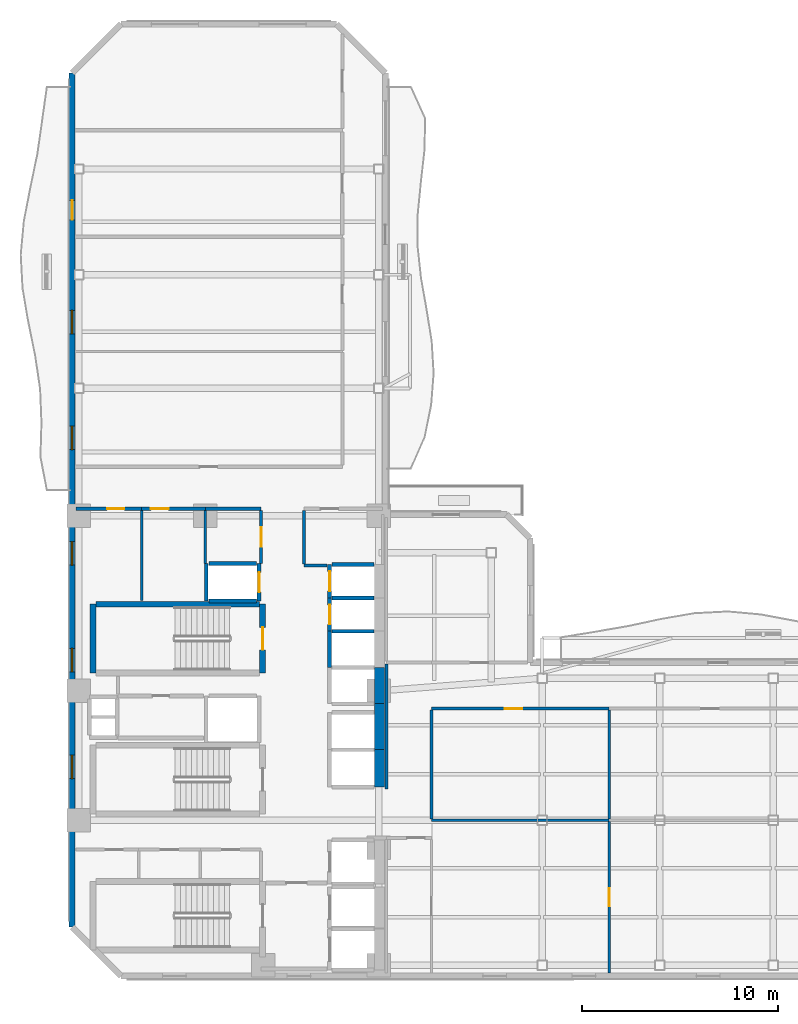
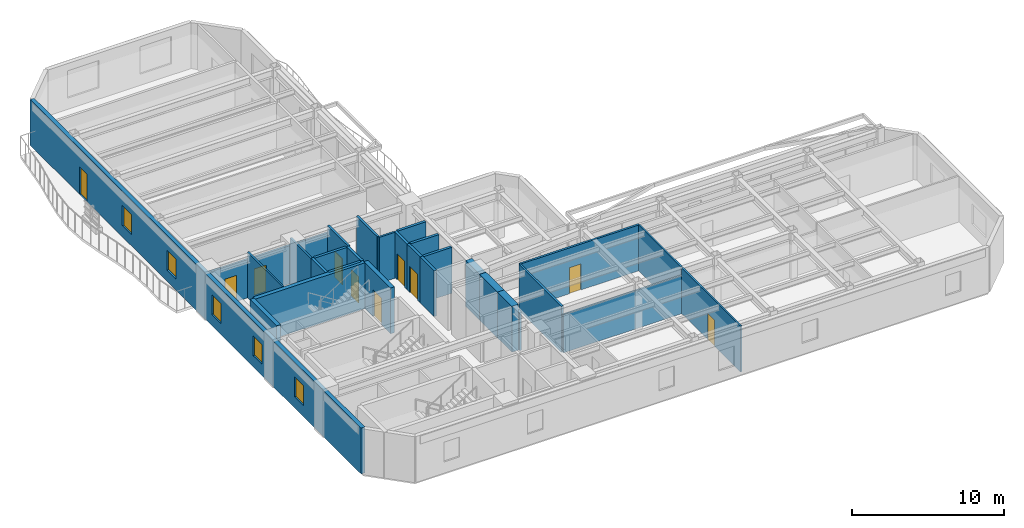
# One storey, part 4 of 12: 31 walls, 10 doors, 5 windows, 15 openings.
"""IFC4 building model written with IfcOpenShell, lengths in metres."""

from ifc_helpers import new_model, si_unit, direction, frame, frame_2d, origin, place, context, subcontext, project, spatial, rectangle, extrude, material, layer, layer_set, type_object, element, fill, save


model = new_model("IFC4")

# Units and contexts
model_context = context("Model", 3, precision=1e-05, world=origin(), true_north=direction((0.0, 1.0)))
body_context = subcontext(model_context, "Body", "Model", "MODEL_VIEW")
ifc_project = project(units=[si_unit("LENGTHUNIT", "METRE"), si_unit("AREAUNIT", "SQUARE_METRE"), si_unit("VOLUMEUNIT", "CUBIC_METRE"), si_unit("PLANEANGLEUNIT", "RADIAN"), si_unit("MASSUNIT", "GRAM", prefix="KILO")], contexts=[model_context])

# Site, building, storey
site_placement = place(None, origin())
site = spatial("IfcSite", under=ifc_project, at=site_placement, CompositionType="ELEMENT")
building_placement = place(site_placement, origin())
building = spatial("IfcBuilding", under=site, at=building_placement, Name="Mawjaban Terraces University", CompositionType="ELEMENT")
storey_placement = place(building_placement, frame((0.0, 0.0, 150.199951171875)))
storey = spatial("IfcBuildingStorey", under=building, at=storey_placement, Name="L36", CompositionType="ELEMENT", Elevation=150.199951171875)

# Walls
ifc_material_1 = material(Name="Concrete C60/75", Category="concrete")
ifc_layer_1 = layer(ifc_material_1, 0.5)
ifc_layer_set_1 = layer_set([ifc_layer_1], Name="Concrete C60/75")
wall_type_1 = type_object("IfcWallType", Name="CoreShearWall_500", PredefinedType="SHEAR", material=ifc_layer_set_1)
wall_1_placement = place(storey_placement, frame((37.699951171875, 9.64990234375, 0.0), z_axis=(0.0, 0.0, 1.0), x_axis=(0.0, 1.0, 0.0)))
element("IfcWall", 1, at=wall_1_placement, inside=storey, type_object=wall_type_1, Name="L36 Lift PL-H1 Hoistway Wall East", PredefinedType="SHEAR", context=body_context, shape_type="SweptSolid", body=[
    extrude(rectangle(XDim=1.900146484375, YDim=0.5, at=frame_2d((0.9501953125, 0.0))), origin(), (0.0, 0.0, 1.0), 3.68994140625),
])
wall_2_placement = place(storey_placement, frame((37.699951171875, 11.550048828125, 0.0), z_axis=(0.0, 0.0, 1.0), x_axis=(0.0, 1.0, 0.0)))
element("IfcWall", 2, at=wall_2_placement, inside=storey, type_object=wall_type_1, Name="L36 Lift PL-H2 Hoistway Wall East", PredefinedType="SHEAR", context=body_context, shape_type="SweptSolid", body=[
    extrude(rectangle(XDim=2.349853515625, YDim=0.5, at=frame_2d((1.1748046875, 0.0))), origin(), (0.0, 0.0, 1.0), 3.68994140625),
])
wall_3_placement = place(storey_placement, frame((37.699951171875, 13.89990234375, 0.0), z_axis=(0.0, 0.0, 1.0), x_axis=(0.0, 1.0, 0.0)))
element("IfcWall", 3, at=wall_3_placement, inside=storey, type_object=wall_type_1, Name="L36 Lift OL-1 Hoistway Wall East", PredefinedType="SHEAR", context=body_context, shape_type="SweptSolid", body=[
    extrude(rectangle(XDim=1.85009765625, YDim=0.5, at=frame_2d((0.925048828125, 0.0))), origin(), (0.0, 0.0, 1.0), 3.68994140625),
])

# Wall, opening, door
ifc_material_2 = material(Name="Fire-rated gypsum board on steel stud", Category="steel")
ifc_layer_2 = layer(ifc_material_2, 0.159912109375)
ifc_layer_set_2 = layer_set([ifc_layer_2], Name="Fire-rated gypsum board on steel stud")
wall_type_2 = type_object("IfcWallType", Name="CorridorPartition_160", PredefinedType="PARTITIONING", material=ifc_layer_set_2)
wall_4_placement = place(storey_placement, frame((25.550048828125, 23.85009765625, 0.0), z_axis=(0.0, 0.0, 1.0), x_axis=(-1.0, 0.0, 0.0)))
wall_4 = element("IfcWall", 4, at=wall_4_placement, inside=storey, type_object=wall_type_2, Name="L36 Ablution Room Partition 5", PredefinedType="PARTITIONING", context=body_context, shape_type="SweptSolid", body=[
    extrude(rectangle(XDim=3.35009765625, YDim=0.159912109375, at=frame_2d((1.675048828125, 0.0))), origin(), (0.0, 0.0, 1.0), 3.073974609375),
])
opening_1_placement = place(wall_4_placement, frame((0.885009765625, 0.0, 0.0)))
opening_1 = element("IfcOpeningElement", 5, at=opening_1_placement, cuts=wall_4, Name="Opening ID-088", PredefinedType="OPENING", context=body_context, shape_type="SweptSolid", body=[
    extrude(rectangle(XDim=0.8798828125, YDim=2.10009765625, at=frame_2d((0.43994140625, 1.050048828125))), frame((0.0, 0.08984375, 0.0), z_axis=(0.0, -1.0, 0.0), x_axis=(1.0, 0.0, 0.0)), (0.0, 0.0, 1.0), 0.179931640625),
])
ifc_material_3 = material(Name="Powder-coated steel frame and solid acoustic timber leaf", Category="steel")
door_type_1 = type_object("IfcDoorType", Name="ToiletDoor_880x2100", OperationType="NOTDEFINED", PredefinedType="DOOR", material=ifc_material_3)
door_1_placement = place(opening_1_placement, origin())
door_1 = element("IfcDoor", 6, at=door_1_placement, inside=storey, type_object=door_type_1, Name="L36 Ablution Room Door", OperationType="SINGLE_SWING_LEFT", OverallHeight=2.10009765625, OverallWidth=0.8798828125, PredefinedType="DOOR", context=body_context, shape_type="SweptSolid", body=[
    extrude(rectangle(XDim=0.8798828125, YDim=2.10009765625, at=frame_2d((0.43994140625, 1.050048828125))), frame((0.0, 0.02490234375, 0.0), z_axis=(0.0, -1.0, 0.0), x_axis=(1.0, 0.0, 0.0)), (0.0, 0.0, 1.0), 0.050048828125),
])
fill(opening_1, door_1)

wall_5_placement = place(storey_placement, frame((28.800048828125, 23.85009765625, 0.0), z_axis=(0.0, 0.0, 1.0), x_axis=(-1.0, 0.0, 0.0)))
wall_5 = element("IfcWall", 7, at=wall_5_placement, inside=storey, type_object=wall_type_2, Name="L36 Cleaner Store Partition 7", PredefinedType="PARTITIONING", context=body_context, shape_type="SweptSolid", body=[
    extrude(rectangle(XDim=3.25, YDim=0.159912109375, at=frame_2d((1.625, 0.0))), origin(), (0.0, 0.0, 1.0), 3.073974609375),
])
opening_2_placement = place(wall_5_placement, frame((1.875, 0.0, 0.0)))
opening_2 = element("IfcOpeningElement", 8, at=opening_2_placement, cuts=wall_5, Name="Opening ID-090", PredefinedType="OPENING", context=body_context, shape_type="SweptSolid", body=[
    extrude(rectangle(XDim=0.89990234375, YDim=2.10009765625, at=frame_2d((0.449951171875, 1.050048828125))), frame((0.0, 0.08984375, 0.0), z_axis=(0.0, -1.0, 0.0), x_axis=(1.0, 0.0, 0.0)), (0.0, 0.0, 1.0), 0.179931640625),
])
door_type_2 = type_object("IfcDoorType", Name="OfficeDoor_900x2100", OperationType="NOTDEFINED", PredefinedType="DOOR", material=ifc_material_3)
door_2_placement = place(opening_2_placement, origin())
door_2 = element("IfcDoor", 9, at=door_2_placement, inside=storey, type_object=door_type_2, Name="L36 Cleaner Store Door", OperationType="SINGLE_SWING_RIGHT", OverallHeight=2.10009765625, OverallWidth=0.89990234375, PredefinedType="DOOR", context=body_context, shape_type="SweptSolid", body=[
    extrude(rectangle(XDim=0.89990234375, YDim=2.10009765625, at=frame_2d((0.449951171875, 1.050048828125))), frame((0.0, 0.02490234375, 0.0), z_axis=(0.0, -1.0, 0.0), x_axis=(1.0, 0.0, 0.0)), (0.0, 0.0, 1.0), 0.050048828125),
])
fill(opening_2, door_2)

# Walls
wall_6_placement = place(storey_placement, frame((31.64990234375, 23.85009765625, 0.0), z_axis=(0.0, 0.0, 1.0), x_axis=(-1.0, 0.0, 0.0)))
element("IfcWall", 10, at=wall_6_placement, inside=storey, type_object=wall_type_2, Name="L36 Academic Tutorial Alcove Partition 9", PredefinedType="PARTITIONING", context=body_context, shape_type="SweptSolid", body=[
    extrude(rectangle(XDim=2.849853515625, YDim=0.159912109375, at=frame_2d((1.4248046875, 0.0))), origin(), (0.0, 0.0, 1.0), 3.073974609375),
])
wall_7_placement = place(storey_placement, frame((35.02001953125, 20.949951171875, 0.0), z_axis=(0.0, 0.0, 1.0), x_axis=(-1.0, 0.0, 0.0)))
element("IfcWall", 11, at=wall_7_placement, inside=storey, type_object=wall_type_2, Name="L36 Passenger Lift Lobby Partition 11", PredefinedType="PARTITIONING", context=body_context, shape_type="SweptSolid", body=[
    extrude(rectangle(XDim=1.169921875, YDim=0.159912109375, at=frame_2d((0.5849609375, 0.0))), origin(), (0.0, 0.0, 1.0), 3.68994140625),
])

# Wall, opening, door
wall_8_placement = place(storey_placement, frame((40.35009765625, 13.64990234375, 0.0), z_axis=(0.0, 0.0, 1.0), x_axis=(1.0, 0.0, 0.0)))
wall_8 = element("IfcWall", 12, at=wall_8_placement, inside=storey, type_object=wall_type_2, Name="L36 Inner Terrace Gallery Corridor East Partition 18", PredefinedType="PARTITIONING", context=body_context, shape_type="SweptSolid", body=[
    extrude(rectangle(XDim=9.06982421875, YDim=0.159912109375, at=frame_2d((4.534912109375, 0.0))), origin(), (0.0, 0.0, 1.0), 3.68994140625),
])
opening_3_placement = place(wall_8_placement, frame((3.735107421875, 0.0, 0.0)))
opening_3 = element("IfcOpeningElement", 13, at=opening_3_placement, cuts=wall_8, Name="Opening ID-090", PredefinedType="OPENING", context=body_context, shape_type="SweptSolid", body=[
    extrude(rectangle(XDim=0.89990234375, YDim=2.10009765625, at=frame_2d((0.449951171875, 1.050048828125))), frame((0.0, 0.08984375, 0.0), z_axis=(0.0, -1.0, 0.0), x_axis=(1.0, 0.0, 0.0)), (0.0, 0.0, 1.0), 0.179931640625),
])
door_3_placement = place(opening_3_placement, origin())
door_3 = element("IfcDoor", 14, at=door_3_placement, inside=storey, type_object=door_type_2, Name="L36 Academic Counseling Room 3 Door", OperationType="SINGLE_SWING_LEFT", OverallHeight=2.10009765625, OverallWidth=0.89990234375, PredefinedType="DOOR", context=body_context, shape_type="SweptSolid", body=[
    extrude(rectangle(XDim=0.89990234375, YDim=2.10009765625, at=frame_2d((0.449951171875, 1.050048828125))), frame((0.0, 0.02490234375, 0.0), z_axis=(0.0, -1.0, 0.0), x_axis=(1.0, 0.0, 0.0)), (0.0, 0.0, 1.0), 0.050048828125),
])
fill(opening_3, door_3)

wall_9_placement = place(storey_placement, frame((31.64990234375, 23.77490234375, 0.0), z_axis=(0.0, 0.0, 1.0), x_axis=(0.0, -1.0, 0.0)))
wall_9 = element("IfcWall", 15, at=wall_9_placement, inside=storey, type_object=wall_type_2, Name="L36 Core North Lift Lobby Partition 32", PredefinedType="PARTITIONING", context=body_context, shape_type="SweptSolid", body=[
    extrude(rectangle(XDim=2.724853515625, YDim=0.159912109375, at=frame_2d((1.3623046875, 0.0))), origin(), (0.0, 0.0, 1.0), 3.68994140625),
])
opening_4_placement = place(wall_9_placement, frame((0.862060546875, 0.0, 0.0)))
opening_4 = element("IfcOpeningElement", 16, at=opening_4_placement, cuts=wall_9, Name="Opening ID-100", PredefinedType="OPENING", context=body_context, shape_type="SweptSolid", body=[
    extrude(rectangle(XDim=1.0, YDim=2.10009765625, at=frame_2d((0.5, 1.050048828125))), frame((0.0, 0.08984375, 0.0), z_axis=(0.0, -1.0, 0.0), x_axis=(1.0, 0.0, 0.0)), (0.0, 0.0, 1.0), 0.179931640625),
])
door_type_3 = type_object("IfcDoorType", Name="ClassroomDoor_1000x2100", OperationType="NOTDEFINED", PredefinedType="DOOR", material=ifc_material_3)
door_4_placement = place(opening_4_placement, origin())
door_4 = element("IfcDoor", 17, at=door_4_placement, inside=storey, type_object=door_type_3, Name="L36 Academic Tutorial Alcove Door", OperationType="SINGLE_SWING_RIGHT", OverallHeight=2.10009765625, OverallWidth=1.0, PredefinedType="DOOR", context=body_context, shape_type="SweptSolid", body=[
    extrude(rectangle(XDim=1.0, YDim=2.10009765625, at=frame_2d((0.5, 1.050048828125))), frame((0.0, 0.02490234375, 0.0), z_axis=(0.0, -1.0, 0.0), x_axis=(1.0, 0.0, 0.0)), (0.0, 0.0, 1.0), 0.050048828125),
])
fill(opening_4, door_4)

# Walls
wall_10_placement = place(storey_placement, frame((33.85009765625, 21.02490234375, 0.0), z_axis=(0.0, 0.0, 1.0), x_axis=(0.0, 1.0, 0.0)))
element("IfcWall", 18, at=wall_10_placement, inside=storey, type_object=wall_type_2, Name="L36 Core North Lift Lobby Partition 33", PredefinedType="PARTITIONING", context=body_context, shape_type="SweptSolid", body=[
    extrude(rectangle(XDim=2.75, YDim=0.159912109375, at=frame_2d((1.375, 0.0))), origin(), (0.0, 0.0, 1.0), 3.68994140625),
])
wall_11_placement = place(storey_placement, frame((38.050048828125, 15.925048828125, 0.0), z_axis=(0.0, 0.0, 1.0), x_axis=(0.0, -1.0, 0.0)))
element("IfcWall", 19, at=wall_11_placement, inside=storey, type_object=wall_type_2, Name="L36 Inner Gallery Link Corridor Partition 40", PredefinedType="PARTITIONING", context=body_context, shape_type="SweptSolid", body=[
    extrude(rectangle(XDim=6.375, YDim=0.159912109375, at=frame_2d((3.1875, 0.0))), origin(), (0.0, 0.0, 1.0), 3.073974609375),
])
wall_12_placement = place(storey_placement, frame((40.35009765625, 8.008056640625, 0.0), z_axis=(0.0, 0.0, 1.0), x_axis=(0.0, 1.0, 0.0)))
element("IfcWall", 20, at=wall_12_placement, inside=storey, type_object=wall_type_2, Name="L36 Inner Gallery Link Corridor Partition 43", PredefinedType="PARTITIONING", context=body_context, shape_type="SweptSolid", body=[
    extrude(rectangle(XDim=5.56689453125, YDim=0.159912109375, at=frame_2d((2.783447265625, 0.0))), origin(), (0.0, 0.0, 1.0), 3.68994140625),
])

# Wall, openings, door, windows
ifc_material_4 = material(Name="Insulated terracotta rainscreen on concrete backup C40/50", Category="masonry")
ifc_layer_3 = layer(ifc_material_4, 0.300048828125)
ifc_layer_set_3 = layer_set([ifc_layer_3], Name="Insulated terracotta rainscreen on concrete backup C40/50")
wall_type_3 = type_object("IfcWallType", Name="ExtTerracottaWall_300", PredefinedType="SOLIDWALL", material=ifc_layer_set_3)
wall_13_placement = place(storey_placement, frame((22.0, 46.10009765625, 0.0), z_axis=(0.0, 0.0, 1.0), x_axis=(0.0, -1.0, 0.0)))
wall_13 = element("IfcWall", 21, at=wall_13_placement, inside=storey, type_object=wall_type_3, Name="L36 Exterior Terracotta Wall 13", PredefinedType="SOLIDWALL", context=body_context, shape_type="SweptSolid", body=[
    extrude(rectangle(XDim=43.60009765625, YDim=0.300048828125, at=frame_2d((21.800048828125, 0.0))), origin(), (0.0, 0.0, 1.0), 3.68994140625),
])
opening_5_placement = place(wall_13_placement, frame((6.5, 0.0, 0.0)))
opening_5 = element("IfcOpeningElement", 22, at=opening_5_placement, cuts=wall_13, Name="Opening BD-100", PredefinedType="OPENING", context=body_context, shape_type="SweptSolid", body=[
    extrude(rectangle(XDim=1.0, YDim=2.199951171875, at=frame_2d((0.5, 1.10009765625))), frame((0.0, 0.159912109375, 0.0), z_axis=(0.0, -1.0, 0.0), x_axis=(1.0, 0.0, 0.0)), (0.0, 0.0, 1.0), 0.320068359375),
])
opening_6_placement = place(wall_13_placement, frame((12.125, 0.0, 0.89990234375)))
opening_6 = element("IfcOpeningElement", 23, at=opening_6_placement, cuts=wall_13, Name="Opening W-01", PredefinedType="OPENING", context=body_context, shape_type="SweptSolid", body=[
    extrude(rectangle(XDim=1.199951171875, YDim=1.60009765625, at=frame_2d((0.60009765625, 0.800048828125))), frame((0.0, 0.159912109375, 0.0), z_axis=(0.0, -1.0, 0.0), x_axis=(1.0, 0.0, 0.0)), (0.0, 0.0, 1.0), 0.320068359375),
])
opening_7_placement = place(wall_13_placement, frame((18.02490234375, 0.0, 0.89990234375)))
opening_7 = element("IfcOpeningElement", 24, at=opening_7_placement, cuts=wall_13, Name="Opening W-01", PredefinedType="OPENING", context=body_context, shape_type="SweptSolid", body=[
    extrude(rectangle(XDim=1.199951171875, YDim=1.60009765625, at=frame_2d((0.60009765625, 0.800048828125))), frame((0.0, 0.159912109375, 0.0), z_axis=(0.0, -1.0, 0.0), x_axis=(1.0, 0.0, 0.0)), (0.0, 0.0, 1.0), 0.320068359375),
])
opening_8_placement = place(wall_13_placement, frame((23.925048828125, 0.0, 0.89990234375)))
opening_8 = element("IfcOpeningElement", 25, at=opening_8_placement, cuts=wall_13, Name="Opening W-01", PredefinedType="OPENING", context=body_context, shape_type="SweptSolid", body=[
    extrude(rectangle(XDim=1.199951171875, YDim=1.60009765625, at=frame_2d((0.60009765625, 0.800048828125))), frame((0.0, 0.159912109375, 0.0), z_axis=(0.0, -1.0, 0.0), x_axis=(1.0, 0.0, 0.0)), (0.0, 0.0, 1.0), 0.320068359375),
])
opening_9_placement = place(wall_13_placement, frame((29.375, 0.0, 0.89990234375)))
opening_9 = element("IfcOpeningElement", 26, at=opening_9_placement, cuts=wall_13, Name="Opening W-01", PredefinedType="OPENING", context=body_context, shape_type="SweptSolid", body=[
    extrude(rectangle(XDim=1.199951171875, YDim=1.60009765625, at=frame_2d((0.60009765625, 0.800048828125))), frame((0.0, 0.159912109375, 0.0), z_axis=(0.0, -1.0, 0.0), x_axis=(1.0, 0.0, 0.0)), (0.0, 0.0, 1.0), 0.320068359375),
])
opening_10_placement = place(wall_13_placement, frame((34.824951171875, 0.0, 0.89990234375)))
opening_10 = element("IfcOpeningElement", 27, at=opening_10_placement, cuts=wall_13, Name="Opening W-01", PredefinedType="OPENING", context=body_context, shape_type="SweptSolid", body=[
    extrude(rectangle(XDim=1.199951171875, YDim=1.60009765625, at=frame_2d((0.60009765625, 0.800048828125))), frame((0.0, 0.159912109375, 0.0), z_axis=(0.0, -1.0, 0.0), x_axis=(1.0, 0.0, 0.0)), (0.0, 0.0, 1.0), 0.320068359375),
])
ifc_material_5 = material(Name="Thermally broken anodised aluminium and laminated safety glass", Category="aluminium")
door_type_4 = type_object("IfcDoorType", Name="BalconyGlazedDoor_1000x2200", OperationType="NOTDEFINED", PredefinedType="DOOR", material=ifc_material_5)
door_5_placement = place(opening_5_placement, origin())
door_5 = element("IfcDoor", 28, at=door_5_placement, inside=storey, type_object=door_type_4, Name="L36 Balcony Access Door west", OperationType="SINGLE_SWING_LEFT", OverallHeight=2.199951171875, OverallWidth=1.0, PredefinedType="DOOR", context=body_context, shape_type="SweptSolid", body=[
    extrude(rectangle(XDim=1.0, YDim=2.199951171875, at=frame_2d((0.5, 1.10009765625))), frame((0.0, 0.02490234375, 0.0), z_axis=(0.0, -1.0, 0.0), x_axis=(1.0, 0.0, 0.0)), (0.0, 0.0, 1.0), 0.050048828125),
])
fill(opening_5, door_5)
ifc_material_6 = material(Name="Low-E solar-control double glazing in thermally broken aluminium frame", Category="aluminium")
window_type = type_object("IfcWindowType", Name="Win_1200x1600", PartitioningType="SINGLE_PANEL", PredefinedType="WINDOW", material=ifc_material_6)
window_1_placement = place(opening_6_placement, origin())
window_1 = element("IfcWindow", 29, at=window_1_placement, inside=storey, type_object=window_type, Name="L36 Facade Window 13.3", OverallHeight=1.60009765625, OverallWidth=1.199951171875, PartitioningType="SINGLE_PANEL", PredefinedType="WINDOW", context=body_context, shape_type="SweptSolid", body=[
    extrude(rectangle(XDim=1.199951171875, YDim=1.60009765625, at=frame_2d((0.60009765625, 0.800048828125))), frame((0.0, 0.030029296875, 0.0), z_axis=(0.0, -1.0, 0.0), x_axis=(1.0, 0.0, 0.0)), (0.0, 0.0, 1.0), 0.06005859375),
])
fill(opening_6, window_1)
window_2_placement = place(opening_7_placement, origin())
window_2 = element("IfcWindow", 30, at=window_2_placement, inside=storey, type_object=window_type, Name="L36 Facade Window 13.4", OverallHeight=1.60009765625, OverallWidth=1.199951171875, PartitioningType="SINGLE_PANEL", PredefinedType="WINDOW", context=body_context, shape_type="SweptSolid", body=[
    extrude(rectangle(XDim=1.199951171875, YDim=1.60009765625, at=frame_2d((0.60009765625, 0.800048828125))), frame((0.0, 0.030029296875, 0.0), z_axis=(0.0, -1.0, 0.0), x_axis=(1.0, 0.0, 0.0)), (0.0, 0.0, 1.0), 0.06005859375),
])
fill(opening_7, window_2)
window_3_placement = place(opening_8_placement, origin())
window_3 = element("IfcWindow", 31, at=window_3_placement, inside=storey, type_object=window_type, Name="L36 Facade Window 13.5", OverallHeight=1.60009765625, OverallWidth=1.199951171875, PartitioningType="SINGLE_PANEL", PredefinedType="WINDOW", context=body_context, shape_type="SweptSolid", body=[
    extrude(rectangle(XDim=1.199951171875, YDim=1.60009765625, at=frame_2d((0.60009765625, 0.800048828125))), frame((0.0, 0.030029296875, 0.0), z_axis=(0.0, -1.0, 0.0), x_axis=(1.0, 0.0, 0.0)), (0.0, 0.0, 1.0), 0.06005859375),
])
fill(opening_8, window_3)
window_4_placement = place(opening_9_placement, origin())
window_4 = element("IfcWindow", 32, at=window_4_placement, inside=storey, type_object=window_type, Name="L36 Facade Window 13.6", OverallHeight=1.60009765625, OverallWidth=1.199951171875, PartitioningType="SINGLE_PANEL", PredefinedType="WINDOW", context=body_context, shape_type="SweptSolid", body=[
    extrude(rectangle(XDim=1.199951171875, YDim=1.60009765625, at=frame_2d((0.60009765625, 0.800048828125))), frame((0.0, 0.030029296875, 0.0), z_axis=(0.0, -1.0, 0.0), x_axis=(1.0, 0.0, 0.0)), (0.0, 0.0, 1.0), 0.06005859375),
])
fill(opening_9, window_4)
window_5_placement = place(opening_10_placement, origin())
window_5 = element("IfcWindow", 33, at=window_5_placement, inside=storey, type_object=window_type, Name="L36 Facade Window 13.7", OverallHeight=1.60009765625, OverallWidth=1.199951171875, PartitioningType="SINGLE_PANEL", PredefinedType="WINDOW", context=body_context, shape_type="SweptSolid", body=[
    extrude(rectangle(XDim=1.199951171875, YDim=1.60009765625, at=frame_2d((0.60009765625, 0.800048828125))), frame((0.0, 0.030029296875, 0.0), z_axis=(0.0, -1.0, 0.0), x_axis=(1.0, 0.0, 0.0)), (0.0, 0.0, 1.0), 0.06005859375),
])
fill(opening_10, window_5)

# Walls
ifc_material_7 = material(Name="Concrete C40/50", Category="concrete")
ifc_layer_4 = layer(ifc_material_7, 0.199951171875)
ifc_layer_set_4 = layer_set([ifc_layer_4], Name="Concrete C40/50")
wall_type_4 = type_object("IfcWallType", Name="FireLobbyWall_200", PredefinedType="SOLIDWALL", material=ifc_layer_set_4)
wall_14_placement = place(storey_placement, frame((35.14990234375, 17.60009765625, 0.0), z_axis=(0.0, 0.0, 1.0), x_axis=(0.0, -1.0, 0.0)))
element("IfcWall", 34, at=wall_14_placement, inside=storey, type_object=wall_type_4, Name="L36 Lift OL-2 Hoistway Wall West", PredefinedType="SOLIDWALL", context=body_context, shape_type="SweptSolid", body=[
    extrude(rectangle(XDim=1.85009765625, YDim=0.199951171875, at=frame_2d((0.925048828125, 0.0))), origin(), (0.0, 0.0, 1.0), 3.68994140625),
])
wall_15_placement = place(storey_placement, frame((37.419921875, 17.60009765625, 0.0), z_axis=(0.0, 0.0, 1.0), x_axis=(-1.0, 0.0, 0.0)))
element("IfcWall", 35, at=wall_15_placement, inside=storey, type_object=wall_type_4, Name="L36 Lift OL-2 Hoistway Wall North", PredefinedType="SOLIDWALL", context=body_context, shape_type="SweptSolid", body=[
    extrude(rectangle(XDim=2.139892578125, YDim=0.199951171875, at=frame_2d((1.06982421875, 0.0))), origin(), (0.0, 0.0, 1.0), 3.68994140625),
])

# Wall, opening, door
wall_16_placement = place(storey_placement, frame((35.14990234375, 19.300048828125, 0.0), z_axis=(0.0, 0.0, 1.0), x_axis=(0.0, -1.0, 0.0)))
wall_16 = element("IfcWall", 36, at=wall_16_placement, inside=storey, type_object=wall_type_4, Name="L36 Lift PL-M1 Hoistway Wall West", PredefinedType="SOLIDWALL", context=body_context, shape_type="SweptSolid", body=[
    extrude(rectangle(XDim=1.699951171875, YDim=0.199951171875, at=frame_2d((0.85009765625, 0.0))), origin(), (0.0, 0.0, 1.0), 3.68994140625),
])
opening_11_placement = place(wall_16_placement, frame((0.35009765625, 0.0, 0.0)))
opening_11 = element("IfcOpeningElement", 37, at=opening_11_placement, cuts=wall_16, Name="Opening LD-PL-M1", PredefinedType="OPENING", context=body_context, shape_type="SweptSolid", body=[
    extrude(rectangle(XDim=1.0, YDim=2.10009765625, at=frame_2d((0.5, 1.050048828125))), frame((0.0, 0.10986328125, 0.0), z_axis=(0.0, -1.0, 0.0), x_axis=(1.0, 0.0, 0.0)), (0.0, 0.0, 1.0), 0.219970703125),
])
ifc_material_8 = material(Name="Powder-coated steel frame and fire-rated steel-faced leaf", Category="steel")
door_type_5 = type_object("IfcDoorType", Name="LiftLandingSliding_1000x2100", OperationType="NOTDEFINED", PredefinedType="DOOR", material=ifc_material_8)
door_6_placement = place(opening_11_placement, origin())
door_6 = element("IfcDoor", 38, at=door_6_placement, inside=storey, type_object=door_type_5, Name="L36 Lift PL-M1 Sliding Landing Door", OperationType="DOUBLE_DOOR_SLIDING", OverallHeight=2.10009765625, OverallWidth=1.0, PredefinedType="DOOR", context=body_context, shape_type="SweptSolid", body=[
    extrude(rectangle(XDim=1.0, YDim=2.10009765625, at=frame_2d((0.5, 1.050048828125))), frame((0.0, 0.02490234375, 0.0), z_axis=(0.0, -1.0, 0.0), x_axis=(1.0, 0.0, 0.0)), (0.0, 0.0, 1.0), 0.050048828125),
])
fill(opening_11, door_6)

# Wall
wall_17_placement = place(storey_placement, frame((37.419921875, 19.300048828125, 0.0), z_axis=(0.0, 0.0, 1.0), x_axis=(-1.0, 0.0, 0.0)))
element("IfcWall", 39, at=wall_17_placement, inside=storey, type_object=wall_type_4, Name="L36 Lift PL-M1 Hoistway Wall North", PredefinedType="SOLIDWALL", context=body_context, shape_type="SweptSolid", body=[
    extrude(rectangle(XDim=2.139892578125, YDim=0.199951171875, at=frame_2d((1.06982421875, 0.0))), origin(), (0.0, 0.0, 1.0), 3.68994140625),
])

# Wall, opening, door
wall_18_placement = place(storey_placement, frame((35.14990234375, 21.0, 0.0), z_axis=(0.0, 0.0, 1.0), x_axis=(0.0, -1.0, 0.0)))
wall_18 = element("IfcWall", 40, at=wall_18_placement, inside=storey, type_object=wall_type_4, Name="L36 Lift PL-M2 Hoistway Wall West", PredefinedType="SOLIDWALL", context=body_context, shape_type="SweptSolid", body=[
    extrude(rectangle(XDim=1.699951171875, YDim=0.199951171875, at=frame_2d((0.85009765625, 0.0))), origin(), (0.0, 0.0, 1.0), 3.68994140625),
])
opening_12_placement = place(wall_18_placement, frame((0.35009765625, 0.0, 0.0)))
opening_12 = element("IfcOpeningElement", 41, at=opening_12_placement, cuts=wall_18, Name="Opening LD-PL-M2", PredefinedType="OPENING", context=body_context, shape_type="SweptSolid", body=[
    extrude(rectangle(XDim=1.0, YDim=2.10009765625, at=frame_2d((0.5, 1.050048828125))), frame((0.0, 0.10986328125, 0.0), z_axis=(0.0, -1.0, 0.0), x_axis=(1.0, 0.0, 0.0)), (0.0, 0.0, 1.0), 0.219970703125),
])
door_7_placement = place(opening_12_placement, origin())
door_7 = element("IfcDoor", 42, at=door_7_placement, inside=storey, type_object=door_type_5, Name="L36 Lift PL-M2 Sliding Landing Door", OperationType="DOUBLE_DOOR_SLIDING", OverallHeight=2.10009765625, OverallWidth=1.0, PredefinedType="DOOR", context=body_context, shape_type="SweptSolid", body=[
    extrude(rectangle(XDim=1.0, YDim=2.10009765625, at=frame_2d((0.5, 1.050048828125))), frame((0.0, 0.02490234375, 0.0), z_axis=(0.0, -1.0, 0.0), x_axis=(1.0, 0.0, 0.0)), (0.0, 0.0, 1.0), 0.050048828125),
])
fill(opening_12, door_7)

# Walls
wall_19_placement = place(storey_placement, frame((37.419921875, 21.0, 0.0), z_axis=(0.0, 0.0, 1.0), x_axis=(-1.0, 0.0, 0.0)))
element("IfcWall", 43, at=wall_19_placement, inside=storey, type_object=wall_type_4, Name="L36 Lift PL-M2 Hoistway Wall North", PredefinedType="SOLIDWALL", context=body_context, shape_type="SweptSolid", body=[
    extrude(rectangle(XDim=2.139892578125, YDim=0.199951171875, at=frame_2d((1.06982421875, 0.0))), origin(), (0.0, 0.0, 1.0), 3.68994140625),
])
wall_20_placement = place(storey_placement, frame((28.85009765625, 21.050048828125, 0.0), z_axis=(0.0, 0.0, 1.0), x_axis=(0.0, -1.0, 0.0)))
element("IfcWall", 44, at=wall_20_placement, inside=storey, type_object=wall_type_4, Name="L36 Lift PL-M3 Hoistway Wall West", PredefinedType="SOLIDWALL", context=body_context, shape_type="SweptSolid", body=[
    extrude(rectangle(XDim=1.900146484375, YDim=0.199951171875, at=frame_2d((0.9501953125, 0.0))), origin(), (0.0, 0.0, 1.0), 3.68994140625),
])

# Wall, opening, door
wall_21_placement = place(storey_placement, frame((31.550048828125, 19.14990234375, 0.0), z_axis=(0.0, 0.0, 1.0), x_axis=(0.0, 1.0, 0.0)))
wall_21 = element("IfcWall", 45, at=wall_21_placement, inside=storey, type_object=wall_type_4, Name="L36 Lift PL-M3 Hoistway Wall East", PredefinedType="SOLIDWALL", context=body_context, shape_type="SweptSolid", body=[
    extrude(rectangle(XDim=1.900146484375, YDim=0.199951171875, at=frame_2d((0.9501953125, 0.0))), origin(), (0.0, 0.0, 1.0), 3.68994140625),
])
opening_13_placement = place(wall_21_placement, frame((0.449951171875, 0.0, 0.0)))
opening_13 = element("IfcOpeningElement", 46, at=opening_13_placement, cuts=wall_21, Name="Opening LD-PL-M3", PredefinedType="OPENING", context=body_context, shape_type="SweptSolid", body=[
    extrude(rectangle(XDim=1.0, YDim=2.10009765625, at=frame_2d((0.5, 1.050048828125))), frame((0.0, 0.10986328125, 0.0), z_axis=(0.0, -1.0, 0.0), x_axis=(1.0, 0.0, 0.0)), (0.0, 0.0, 1.0), 0.219970703125),
])
door_8_placement = place(opening_13_placement, origin())
door_8 = element("IfcDoor", 47, at=door_8_placement, inside=storey, type_object=door_type_5, Name="L36 Lift PL-M3 Sliding Landing Door", OperationType="DOUBLE_DOOR_SLIDING", OverallHeight=2.10009765625, OverallWidth=1.0, PredefinedType="DOOR", context=body_context, shape_type="SweptSolid", body=[
    extrude(rectangle(XDim=1.0, YDim=2.10009765625, at=frame_2d((0.5, 1.050048828125))), frame((0.0, 0.02490234375, 0.0), z_axis=(0.0, -1.0, 0.0), x_axis=(1.0, 0.0, 0.0)), (0.0, 0.0, 1.0), 0.050048828125),
])
fill(opening_13, door_8)

# Walls
for number, where, z_axis, x_axis, name in (
    (48, (28.97998046875, 19.14990234375, 0.0), (0.0, 0.0, 1.0), (1.0, 0.0, 0.0), "L36 Lift PL-M3 Hoistway Wall South"),
    (49, (31.419921875, 21.050048828125, 0.0), (0.0, 0.0, 1.0), (-1.0, 0.0, 0.0), "L36 Lift PL-M3 Hoistway Wall North"),
):
    element("IfcWall", number, at=place(storey_placement, frame(where, z_axis=z_axis, x_axis=x_axis)), inside=storey, type_object=wall_type_4, Name=name, PredefinedType="SOLIDWALL", context=body_context, shape_type="SweptSolid", body=[
        extrude(rectangle(XDim=2.43994140625, YDim=0.199951171875, at=frame_2d((1.219970703125, 0.0))), origin(), (0.0, 0.0, 1.0), 3.68994140625),
    ])
ifc_material_9 = material(Name="Gypsum plasterboard on steel stud", Category="steel")
ifc_layer_5 = layer(ifc_material_9, 0.125)
ifc_layer_set_5 = layer_set([ifc_layer_5], Name="Gypsum plasterboard on steel stud")
wall_type_5 = type_object("IfcWallType", Name="OfficePartition_125", PredefinedType="PARTITIONING", material=ifc_layer_set_5)
wall_22_placement = place(storey_placement, frame((49.419921875, 7.949951171875, 0.0), z_axis=(0.0, 0.0, 1.0), x_axis=(-1.0, 0.0, 0.0)))
element("IfcWall", 50, at=wall_22_placement, inside=storey, type_object=wall_type_5, Name="L36 Academic Counseling Room 2 Partition 21", PredefinedType="PARTITIONING", context=body_context, shape_type="SweptSolid", body=[
    extrude(rectangle(XDim=9.06982421875, YDim=0.125, at=frame_2d((4.534912109375, 0.0))), origin(), (0.0, 0.0, 1.0), 3.073974609375),
])
wall_23_placement = place(storey_placement, frame((28.800048828125, 23.77490234375, 0.0), z_axis=(0.0, 0.0, 1.0), x_axis=(0.0, -1.0, 0.0)))
element("IfcWall", 51, at=wall_23_placement, inside=storey, type_object=wall_type_5, Name="L36 Academic Tutorial Alcove Partition 30", PredefinedType="PARTITIONING", context=body_context, shape_type="SweptSolid", body=[
    extrude(rectangle(XDim=2.724853515625, YDim=0.125, at=frame_2d((1.3623046875, 0.0))), origin(), (0.0, 0.0, 1.0), 3.68994140625),
])

# Wall, opening, door
wall_24_placement = place(storey_placement, frame((49.419921875, 0.14501953125, 0.0), z_axis=(0.0, 0.0, 1.0), x_axis=(0.0, 1.0, 0.0)))
wall_24 = element("IfcWall", 52, at=wall_24_placement, inside=storey, type_object=wall_type_5, Name="L36 Academic Counseling Room 2 Partition 44", PredefinedType="PARTITIONING", context=body_context, shape_type="SweptSolid", body=[
    extrude(rectangle(XDim=7.748046875, YDim=0.125, at=frame_2d((3.8740234375, 0.0))), origin(), (0.0, 0.0, 1.0), 3.68994140625),
])
opening_14_placement = place(wall_24_placement, frame((3.424072265625, 0.0, 0.0)))
opening_14 = element("IfcOpeningElement", 53, at=opening_14_placement, cuts=wall_24, Name="Opening ID-090", PredefinedType="OPENING", context=body_context, shape_type="SweptSolid", body=[
    extrude(rectangle(XDim=0.89990234375, YDim=2.10009765625, at=frame_2d((0.449951171875, 1.050048828125))), frame((0.0, 0.072509765625, 0.0), z_axis=(0.0, -1.0, 0.0), x_axis=(1.0, 0.0, 0.0)), (0.0, 0.0, 1.0), 0.14501953125),
])
door_9_placement = place(opening_14_placement, origin())
door_9 = element("IfcDoor", 54, at=door_9_placement, inside=storey, type_object=door_type_2, Name="L36 Academic Counseling Room 4 Door", OperationType="SINGLE_SWING_RIGHT", OverallHeight=2.10009765625, OverallWidth=0.89990234375, PredefinedType="DOOR", context=body_context, shape_type="SweptSolid", body=[
    extrude(rectangle(XDim=0.89990234375, YDim=2.10009765625, at=frame_2d((0.449951171875, 1.050048828125))), frame((0.0, 0.02490234375, 0.0), z_axis=(0.0, -1.0, 0.0), x_axis=(1.0, 0.0, 0.0)), (0.0, 0.0, 1.0), 0.050048828125),
])
fill(opening_14, door_9)

# Walls
wall_25_placement = place(storey_placement, frame((49.419921875, 8.008056640625, 0.0), z_axis=(0.0, 0.0, 1.0), x_axis=(0.0, 1.0, 0.0)))
element("IfcWall", 55, at=wall_25_placement, inside=storey, type_object=wall_type_5, Name="L36 Academic Counseling Room 3 Partition 45", PredefinedType="PARTITIONING", context=body_context, shape_type="SweptSolid", body=[
    extrude(rectangle(XDim=5.56689453125, YDim=0.125, at=frame_2d((2.783447265625, 0.0))), origin(), (0.0, 0.0, 1.0), 3.68994140625),
])
ifc_layer_6 = layer(ifc_material_1, 0.300048828125)
ifc_layer_set_6 = layer_set([ifc_layer_6], Name="Concrete C60/75")
wall_type_6 = type_object("IfcWallType", Name="StairShaftWall_300", PredefinedType="SHEAR", material=ifc_layer_set_6)
wall_26_placement = place(storey_placement, frame((31.580078125, 18.97998046875, 0.0), z_axis=(0.0, 0.0, 1.0), x_axis=(-1.0, 0.0, 0.0)))
element("IfcWall", 56, at=wall_26_placement, inside=storey, type_object=wall_type_6, Name="L36 ST-2 Stair Shaft Wall 1", PredefinedType="SHEAR", context=body_context, shape_type="SweptSolid", body=[
    extrude(rectangle(XDim=8.360107421875, YDim=0.300048828125, at=frame_2d((4.18017578125, 0.0))), origin(), (0.0, 0.0, 1.0), 3.68994140625),
])
wall_27_placement = place(storey_placement, frame((23.070068359375, 18.97998046875, 0.0), z_axis=(0.0, 0.0, 1.0), x_axis=(0.0, -1.0, 0.0)))
element("IfcWall", 57, at=wall_27_placement, inside=storey, type_object=wall_type_6, Name="L36 ST-2 Stair Shaft Wall 2", PredefinedType="SHEAR", context=body_context, shape_type="SweptSolid", body=[
    extrude(rectangle(XDim=3.510009765625, YDim=0.300048828125, at=frame_2d((1.7548828125, 0.0))), origin(), (0.0, 0.0, 1.0), 3.68994140625),
])

# Wall, opening, door
wall_28_placement = place(storey_placement, frame((31.72998046875, 15.469970703125, 0.0), z_axis=(0.0, 0.0, 1.0), x_axis=(0.0, 1.0, 0.0)))
wall_28 = element("IfcWall", 58, at=wall_28_placement, inside=storey, type_object=wall_type_6, Name="L36 ST-2 Stair Shaft Wall 4", PredefinedType="SHEAR", context=body_context, shape_type="SweptSolid", body=[
    extrude(rectangle(XDim=3.510009765625, YDim=0.300048828125, at=frame_2d((1.7548828125, 0.0))), origin(), (0.0, 0.0, 1.0), 3.68994140625),
])
opening_15_placement = place(wall_28_placement, frame((1.179931640625, 0.0, 0.0)))
opening_15 = element("IfcOpeningElement", 59, at=opening_15_placement, cuts=wall_28, Name="Opening FD-115", PredefinedType="OPENING", context=body_context, shape_type="SweptSolid", body=[
    extrude(rectangle(XDim=1.14990234375, YDim=2.14990234375, at=frame_2d((0.574951171875, 1.074951171875))), frame((0.0, 0.159912109375, 0.0), z_axis=(0.0, -1.0, 0.0), x_axis=(1.0, 0.0, 0.0)), (0.0, 0.0, 1.0), 0.320068359375),
])
door_type_6 = type_object("IfcDoorType", Name="FireStairDoor_1150x2150", OperationType="NOTDEFINED", PredefinedType="DOOR", material=ifc_material_8)
door_10_placement = place(opening_15_placement, origin())
door_10 = element("IfcDoor", 60, at=door_10_placement, inside=storey, type_object=door_type_6, Name="L36 ST-2 Pressurised Stair Fire Door", OperationType="SINGLE_SWING_RIGHT", OverallHeight=2.14990234375, OverallWidth=1.14990234375, PredefinedType="DOOR", context=body_context, shape_type="SweptSolid", body=[
    extrude(rectangle(XDim=1.14990234375, YDim=2.14990234375, at=frame_2d((0.574951171875, 1.074951171875))), frame((0.0, 0.02490234375, 0.0), z_axis=(0.0, -1.0, 0.0), x_axis=(1.0, 0.0, 0.0)), (0.0, 0.0, 1.0), 0.050048828125),
])
fill(opening_15, door_10)

# Wall
ifc_material_10 = material(Name="Cement-board wet-room partition", Category="masonry")
ifc_layer_7 = layer(ifc_material_10, 0.135009765625)
ifc_layer_set_7 = layer_set([ifc_layer_7], Name="Cement-board wet-room partition")
wall_type_7 = type_object("IfcWallType", Name="WetRoomPartition_135", PredefinedType="PARTITIONING", material=ifc_layer_set_7)
wall_29_placement = place(storey_placement, frame((25.550048828125, 19.159912109375, 0.0), z_axis=(0.0, 0.0, 1.0), x_axis=(0.0, 1.0, 0.0)))
element("IfcWall", 61, at=wall_29_placement, inside=storey, type_object=wall_type_7, Name="L36 Ablution Room Partition 28", PredefinedType="PARTITIONING", context=body_context, shape_type="SweptSolid", body=[
    extrude(rectangle(XDim=4.614990234375, YDim=0.135009765625, at=frame_2d((2.3076171875, 0.0))), origin(), (0.0, 0.0, 1.0), 3.68994140625),
])

save(model, "model.ifc")
